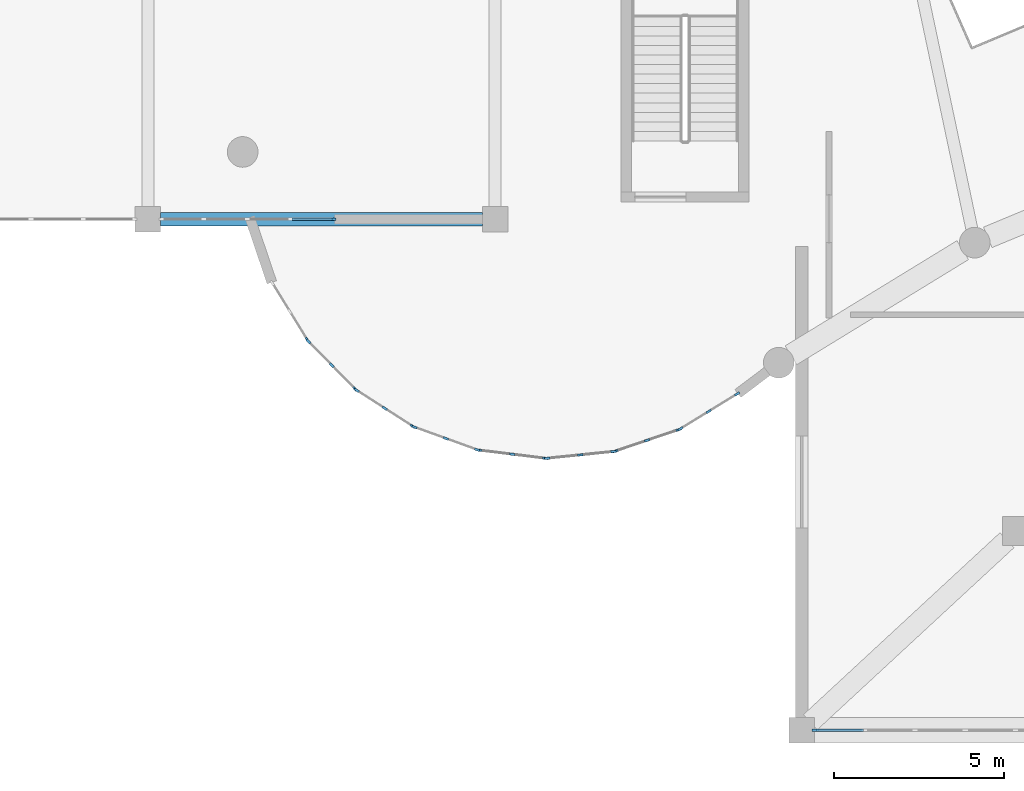
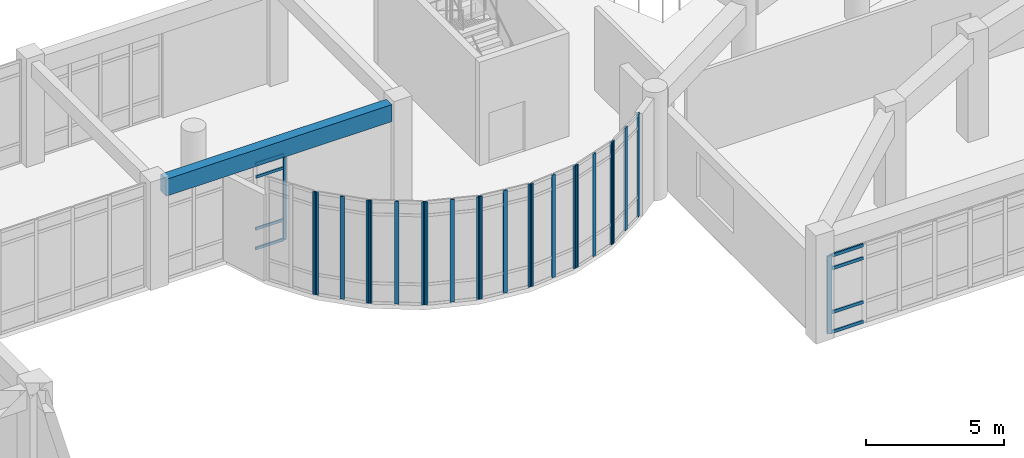
# One storey, part 8 of 68: 32 members, 1 beam, 10 elements without a shape of their own.
"""IFC4 building model written with IfcOpenShell, lengths in metres."""

import ifcopenshell
import ifcopenshell.guid

model = None  # the IFC model being written
_history = None  # IfcOwnerHistory: only IFC2X3 demands one
_inside = {}  # id of a spatial element -> (the spatial element, [elements in it])
_under = {}  # id of a project, library or spatial element -> (it, [spatial elements below it])
_declared = {}  # id of a project -> (the project, [libraries it declares])
_typed = {}  # id of a type object -> (the type object, [elements of that type])
_made_of = {}  # id of a material, layer set ... -> (it, [elements and type objects made of it])


def new_model(schema):
    """Start an empty IFC model of exactly this schema.

    Asked for "IFC4X3", IfcOpenShell would pick the latest addendum, in which some entities
    have other attributes; the version numbers below select the first issue.
    IFC2X3 requires an IfcOwnerHistory on every rooted entity: one is made here for all.
    """
    global model, _history
    if schema == "IFC4X3":
        model = ifcopenshell.file(schema_version=(4, 3, 0, 0))
    else:
        model = ifcopenshell.file(schema=schema)
    _inside.clear()
    _under.clear()
    _declared.clear()
    _typed.clear()
    _made_of.clear()
    _history = None
    if model.schema == "IFC2X3":
        org = make("IfcOrganization", Name="unknown")
        user = make(
            "IfcPersonAndOrganization",
            ThePerson=make("IfcPerson", FamilyName="unknown"),
            TheOrganization=org,
        )
        app = make(
            "IfcApplication",
            ApplicationDeveloper=org,
            Version="unknown",
            ApplicationFullName="unknown",
            ApplicationIdentifier="unknown",
        )
        _history = make(
            "IfcOwnerHistory",
            OwningUser=user,
            OwningApplication=app,
            ChangeAction="ADDED",
            CreationDate=0,
        )
    return model


def make(cls, **values):
    """One entity of the class cls with the attributes given. An attribute that is None is left unset."""
    return model.create_entity(
        cls, **{name: value for name, value in values.items() if value is not None}
    )


def rooted(cls, **values):
    """An entity with a GlobalId (a new one), such as an element, a storey or a relation."""
    return make(cls, GlobalId=ifcopenshell.guid.new(), OwnerHistory=_history, **values)


def si_unit(unit_type, name, prefix=None):
    """IfcSIUnit, for example si_unit("LENGTHUNIT", "METRE", prefix="MILLI")."""
    return make("IfcSIUnit", UnitType=unit_type, Prefix=prefix, Name=name)


def assignment(units):
    """IfcUnitAssignment: the units of a project."""
    return None if units is None else make("IfcUnitAssignment", Units=units)


def point(xyz):
    """IfcCartesianPoint."""
    return None if xyz is None else make("IfcCartesianPoint", Coordinates=xyz)


def direction(xyz):
    """IfcDirection."""
    return None if xyz is None else make("IfcDirection", DirectionRatios=xyz)


def frame(location, z_axis=None, x_axis=None):
    """IfcAxis2Placement3D, a coordinate frame: its origin and axes. An axis left out is left unset."""
    return make(
        "IfcAxis2Placement3D",
        Location=point(location),
        Axis=direction(z_axis),
        RefDirection=direction(x_axis),
    )


def frame_2d(location, x_axis=None):
    """IfcAxis2Placement2D, a coordinate frame in the plane: its origin and x axis."""
    return make(
        "IfcAxis2Placement2D", Location=point(location), RefDirection=direction(x_axis)
    )


def origin():
    """The frame at (0, 0, 0) with its axes left unset."""
    return frame((0.0, 0.0, 0.0))


def origin_2d():
    """The frame at (0, 0) in the plane with its x axis left unset."""
    return frame_2d((0.0, 0.0))


def place(relative_to, where):
    """IfcLocalPlacement: puts the frame where relative to a parent placement (None: the world)."""
    return make(
        "IfcLocalPlacement", PlacementRelTo=relative_to, RelativePlacement=where
    )


def context(
    kind, dimensions, precision=None, world=None, true_north=None, identifier=None
):
    """IfcGeometricRepresentationContext, for example the 3D "Model" context."""
    return make(
        "IfcGeometricRepresentationContext",
        ContextIdentifier=identifier,
        ContextType=kind,
        CoordinateSpaceDimension=dimensions,
        Precision=precision,
        WorldCoordinateSystem=world,
        TrueNorth=true_north,
    )


def subcontext(parent, identifier, kind, view, scale=None):
    """IfcGeometricRepresentationSubContext, for example "Body" below "Model"."""
    return make(
        "IfcGeometricRepresentationSubContext",
        ContextIdentifier=identifier,
        ContextType=kind,
        ParentContext=parent,
        TargetScale=scale,
        TargetView=view,
    )


def project(units=None, contexts=None):
    """IfcProject with its units and contexts."""
    return rooted(
        "IfcProject",
        Name="project",
        RepresentationContexts=contexts,
        UnitsInContext=assignment(units),
    )


def spatial(cls, under=None, at=None, **own):
    """A site, building, storey or space (cls), placed at a placement, below another one or the project."""
    s = rooted(cls, ObjectPlacement=at, **own)
    if under is not None:
        _under.setdefault(under.id(), (under, []))[1].append(s)
    return s


def profile(cls, at=None, kind="AREA", **sizes):
    """A parametric profile (cls). Its sizes go by their IFC names, for example OverallWidth=200.0."""
    return make(cls, ProfileType=kind, Position=at, **sizes)


def rectangle(**sizes):
    """IfcRectangleProfileDef."""
    return profile("IfcRectangleProfileDef", **sizes)


def extrude(swept, where, along, depth):
    """IfcExtrudedAreaSolid: the profile swept, set in the frame where, extruded along a direction by depth."""
    return make(
        "IfcExtrudedAreaSolid",
        SweptArea=swept,
        Position=where,
        ExtrudedDirection=direction(along),
        Depth=depth,
    )


def shape(context_of_items, identifier, shape_type, items):
    """IfcShapeRepresentation: the items that make up one representation, for example the "Body"."""
    return make(
        "IfcShapeRepresentation",
        ContextOfItems=context_of_items,
        RepresentationIdentifier=identifier,
        RepresentationType=shape_type,
        Items=items,
    )


def material(Name=None, Category=None):
    """IfcMaterial."""
    return make("IfcMaterial", Name=Name, Category=Category)


def layer(
    of_material, thickness, ventilated=None, Name=None, Category=None, Priority=None
):
    """IfcMaterialLayer: one layer of a wall or slab, of a material (None: an air gap)."""
    return make(
        "IfcMaterialLayer",
        Material=of_material,
        LayerThickness=thickness,
        IsVentilated=ventilated,
        Name=Name,
        Category=Category,
        Priority=Priority,
    )


def layer_set(layers, Name=None):
    """IfcMaterialLayerSet."""
    return make("IfcMaterialLayerSet", MaterialLayers=layers, LayerSetName=Name)


def material_profile(
    of_material, cross_section, Name=None, Category=None, Priority=None
):
    """IfcMaterialProfile: a cross section and its material."""
    return make(
        "IfcMaterialProfile",
        Name=Name,
        Material=of_material,
        Profile=cross_section,
        Priority=Priority,
        Category=Category,
    )


def profile_set(profiles, Name=None, composite=None):
    """IfcMaterialProfileSet."""
    return make(
        "IfcMaterialProfileSet",
        Name=Name,
        MaterialProfiles=profiles,
        CompositeProfile=composite,
    )


def made_of(thing, what):
    """Note that an element or type object is made of a material, layer set ...; save() writes the relation."""
    if what is not None:
        _made_of.setdefault(what.id(), (what, []))[1].append(thing)
    return thing


def type_object(cls, material=None, **own):
    """A type object (cls), such as IfcWallType, which elements share."""
    return made_of(rooted(cls, **own), material)


def element(
    cls,
    number,
    at=None,
    inside=None,
    cuts=None,
    type_object=None,
    material=None,
    context=None,
    identifier="Body",
    shape_type=None,
    held_by="IfcProductDefinitionShape",
    body=None,
    shapes=None,
    **own,
):
    """One element of the class cls, such as IfcWall. Its Tag is "e" and its number.

    at: its placement. inside: the storey or other place that contains it. cuts: it is an
    opening in that element (IfcRelVoidsElement). A single representation is given by context,
    identifier, shape_type and body (its items); several are given by shapes. held_by: the class
    of the entity that holds the representations. save() writes the other relations.
    """
    e = rooted(cls, Tag="e%d" % number, ObjectPlacement=at, **own)
    if body is not None:
        shapes = [shape(context, identifier, shape_type, body)]
    if shapes is not None:
        e.Representation = make(held_by, Representations=shapes)
    if inside is not None:
        _inside.setdefault(inside.id(), (inside, []))[1].append(e)
    if cuts is not None:
        rooted(
            "IfcRelVoidsElement", RelatingBuildingElement=cuts, RelatedOpeningElement=e
        )
    if type_object is not None:
        _typed.setdefault(type_object.id(), (type_object, []))[1].append(e)
    return made_of(e, material)


def aggregate(whole, parts):
    """IfcRelAggregates: a whole, such as a stair, and the parts it consists of."""
    return rooted("IfcRelAggregates", RelatingObject=whole, RelatedObjects=parts)


def save(model, path):
    """Write the relations noted so far, then the file.

    IfcRelAggregates (storeys below a building ...), IfcRelContainedInSpatialStructure (elements
    in a storey), IfcRelDefinesByType, IfcRelAssociatesMaterial and IfcRelDeclares: one each for
    every whole, place, type object, material and project.
    """
    for whole, parts in _under.values():
        aggregate(whole, parts)
    for where, things in _inside.values():
        rooted(
            "IfcRelContainedInSpatialStructure",
            RelatedElements=things,
            RelatingStructure=where,
        )
    for kind, things in _typed.values():
        rooted("IfcRelDefinesByType", RelatedObjects=things, RelatingType=kind)
    for what, things in _made_of.values():
        rooted("IfcRelAssociatesMaterial", RelatedObjects=things, RelatingMaterial=what)
    for by, libraries in _declared.values():
        rooted("IfcRelDeclares", RelatingContext=by, RelatedDefinitions=libraries)
    model.write(path)


model = new_model("IFC4")

# Units and contexts
model_context = context("Model", 3, precision=1e-05, world=origin(), true_north=direction((0.0, 1.0)))
body_context = subcontext(model_context, "Body", "Model", "MODEL_VIEW")
ifc_project = project(units=[si_unit("LENGTHUNIT", "METRE"), si_unit("AREAUNIT", "SQUARE_METRE"), si_unit("VOLUMEUNIT", "CUBIC_METRE"), si_unit("PLANEANGLEUNIT", "RADIAN"), si_unit("MASSUNIT", "GRAM", prefix="KILO")], contexts=[model_context])

# Site, building, storey
site_placement = place(None, origin())
site = spatial("IfcSite", under=ifc_project, at=site_placement, CompositionType="ELEMENT")
building_placement = place(site_placement, origin())
building = spatial("IfcBuilding", under=site, at=building_placement, Name="Miralva Faculty of Natural Sciences", CompositionType="ELEMENT")
storey_placement = place(building_placement, frame((0.0, 0.0, 5.39990234375)))
storey = spatial("IfcBuildingStorey", under=building, at=storey_placement, Name="L01", CompositionType="ELEMENT", Elevation=5.39990234375)

# Beam
ifc_material_1 = material(Name="Concrete C40/50", Category="concrete")
ifc_material_profile_1 = material_profile(ifc_material_1, rectangle(XDim=0.39990234375, YDim=0.75, at=origin_2d()), Name="RC 400x750")
ifc_profile_set_1 = profile_set([ifc_material_profile_1], Name="Concrete C40/50")
beam_type = type_object("IfcBeamType", Name="BM-B03", PredefinedType="BEAM", material=ifc_profile_set_1)
beam_placement = place(storey_placement, frame((46.574951171875, 18.0, 4.18505859375), z_axis=(1.0, 0.0, 0.0), x_axis=(0.0, 1.0, 0.0)))
element("IfcBeam", 1, at=beam_placement, inside=storey, type_object=beam_type, Name="Girder EW L01-20", PredefinedType="BEAM", context=body_context, shape_type="SweptSolid", body=[
    extrude(rectangle(XDim=0.39990234375, YDim=0.75, at=origin_2d()), origin(), (0.0, 0.0, 1.0), 9.449951171875),
])

# Curtain wall, member
ifc_material_2 = material(Name="Laminated solar-control glass", Category="glass")
ifc_layer_1 = layer(ifc_material_2, 0.179931640625, Name="CW-LEC-L01")
ifc_layer_set_1 = layer_set([ifc_layer_1], Name="Laminated solar-control glass")
curtain_wall_type_1 = type_object("IfcCurtainWallType", Name="CW-LEC-L01", PredefinedType="USERDEFINED", material=ifc_layer_set_1)
curtain_wall_1_placement = place(storey_placement, origin())
curtain_wall_1 = element("IfcCurtainWall", 2, at=curtain_wall_1_placement, inside=storey, type_object=curtain_wall_type_1, Name="Curtain wall CW-08 L01-206", ObjectType="UNITISED CURTAIN WALL", PredefinedType="USERDEFINED")
ifc_material_3 = material(Name="Anodised aluminium", Category="aluminium")
ifc_material_profile_2 = material_profile(ifc_material_3, rectangle(XDim=0.06494140625, YDim=0.179931640625, at=origin_2d()), Name="MULLION 65x180")
ifc_profile_set_2 = profile_set([ifc_material_profile_2], Name="Anodised aluminium")
member_type_1 = type_object("IfcMemberType", Name="CW-M01", PredefinedType="MULLION", material=ifc_profile_set_2)
member_1_placement = place(storey_placement, frame((65.797607421875, 3.0, 0.0), z_axis=(0.0, 0.0, 1.0), x_axis=(0.0, 1.0, 0.0)))
member_1 = element("IfcMember", 3, at=member_1_placement, type_object=member_type_1, Name="CW-08 mullion 1", PredefinedType="MULLION", context=body_context, shape_type="SweptSolid", body=[
    extrude(rectangle(XDim=0.06494140625, YDim=0.179931640625, at=origin_2d()), origin(), (0.0, 0.0, 1.0), 3.445068359375),
])

# Curtain wall, members
ifc_layer_2 = layer(ifc_material_2, 0.179931640625, Name="CW-RND-L01")
ifc_layer_set_2 = layer_set([ifc_layer_2], Name="Laminated solar-control glass")
curtain_wall_type_2 = type_object("IfcCurtainWallType", Name="CW-RND-L01", PredefinedType="USERDEFINED", material=ifc_layer_set_2)
curtain_wall_2_placement = place(storey_placement, origin())
curtain_wall_2 = element("IfcCurtainWall", 4, at=curtain_wall_2_placement, inside=storey, type_object=curtain_wall_type_2, Name="Curtain wall CW-05 L01-47", ObjectType="UNITISED CURTAIN WALL", PredefinedType="USERDEFINED")
ifc_material_profile_3 = material_profile(ifc_material_3, rectangle(XDim=0.06494140625, YDim=0.159912109375, at=origin_2d()), Name="MULLION 65x160")
ifc_profile_set_3 = profile_set([ifc_material_profile_3], Name="Anodised aluminium")
member_type_2 = type_object("IfcMemberType", Name="CW-M02", PredefinedType="MULLION", material=ifc_profile_set_3)
member_2_placement = place(storey_placement, frame((61.837158203125, 11.846435546875, 0.0), z_axis=(0.0, 0.0, 1.0), x_axis=(-0.523550543884, 0.851994617353, 0.0)))
member_2 = element("IfcMember", 5, at=member_2_placement, type_object=member_type_2, Name="CW-05 mullion 1", PredefinedType="MULLION", context=body_context, shape_type="SweptSolid", body=[
    extrude(rectangle(XDim=0.06494140625, YDim=0.159912109375, at=origin_2d()), origin(), (0.0, 0.0, 1.0), 4.550048828125),
])
member_3_placement = place(storey_placement, frame((62.670166015625, 12.358154296875, 0.0), z_axis=(0.0, 0.0, 1.0), x_axis=(-0.523550543884, 0.851994617353, 0.0)))
member_3 = element("IfcMember", 6, at=member_3_placement, type_object=member_type_2, Name="CW-05 mullion 2", PredefinedType="MULLION", context=body_context, shape_type="SweptSolid", body=[
    extrude(rectangle(XDim=0.06494140625, YDim=0.159912109375, at=origin_2d()), origin(), (0.0, 0.0, 1.0), 4.550048828125),
])
member_4_placement = place(storey_placement, frame((63.503173828125, 12.8701171875, 0.0), z_axis=(0.0, 0.0, 1.0), x_axis=(-0.523550543884, 0.851994617353, 0.0)))
member_4 = element("IfcMember", 7, at=member_4_placement, type_object=member_type_2, Name="CW-05 mullion 3", PredefinedType="MULLION", context=body_context, shape_type="SweptSolid", body=[
    extrude(rectangle(XDim=0.06494140625, YDim=0.159912109375, at=origin_2d()), origin(), (0.0, 0.0, 1.0), 4.550048828125),
])
aggregate(curtain_wall_2, [member_2, member_3, member_4])

curtain_wall_3_placement = place(storey_placement, origin())
curtain_wall_3 = element("IfcCurtainWall", 8, at=curtain_wall_3_placement, inside=storey, type_object=curtain_wall_type_2, Name="Curtain wall CW-05 L01-48", ObjectType="UNITISED CURTAIN WALL", PredefinedType="USERDEFINED")
member_5_placement = place(storey_placement, frame((59.931396484375, 11.193115234375, 0.0), z_axis=(0.0, 0.0, 1.0), x_axis=(-0.320842126361, 0.947132688672, 0.0)))
member_5 = element("IfcMember", 9, at=member_5_placement, type_object=member_type_2, Name="CW-05 mullion 1", PredefinedType="MULLION", context=body_context, shape_type="SweptSolid", body=[
    extrude(rectangle(XDim=0.06494140625, YDim=0.159912109375, at=origin_2d()), origin(), (0.0, 0.0, 1.0), 4.550048828125),
])
member_6_placement = place(storey_placement, frame((60.857421875, 11.5068359375, 0.0), z_axis=(0.0, 0.0, 1.0), x_axis=(-0.320842126361, 0.947132688672, 0.0)))
member_6 = element("IfcMember", 10, at=member_6_placement, type_object=member_type_2, Name="CW-05 mullion 2", PredefinedType="MULLION", context=body_context, shape_type="SweptSolid", body=[
    extrude(rectangle(XDim=0.06494140625, YDim=0.159912109375, at=origin_2d()), origin(), (0.0, 0.0, 1.0), 4.550048828125),
])
member_7_placement = place(storey_placement, frame((61.783447265625, 11.820556640625, 0.0), z_axis=(0.0, 0.0, 1.0), x_axis=(-0.320842126361, 0.947132688672, 0.0)))
member_7 = element("IfcMember", 11, at=member_7_placement, type_object=member_type_2, Name="CW-05 mullion 3", PredefinedType="MULLION", context=body_context, shape_type="SweptSolid", body=[
    extrude(rectangle(XDim=0.06494140625, YDim=0.159912109375, at=origin_2d()), origin(), (0.0, 0.0, 1.0), 4.550048828125),
])
aggregate(curtain_wall_3, [member_5, member_6, member_7])

curtain_wall_4_placement = place(storey_placement, origin())
curtain_wall_4 = element("IfcCurtainWall", 12, at=curtain_wall_4_placement, inside=storey, type_object=curtain_wall_type_2, Name="Curtain wall CW-05 L01-49", ObjectType="UNITISED CURTAIN WALL", PredefinedType="USERDEFINED")
member_8_placement = place(storey_placement, frame((57.92822265625, 10.980224609375, 0.0), z_axis=(0.0, 0.0, 1.0), x_axis=(-0.102056494477, 0.994778604482, 0.0)))
member_8 = element("IfcMember", 13, at=member_8_placement, type_object=member_type_2, Name="CW-05 mullion 1", PredefinedType="MULLION", context=body_context, shape_type="SweptSolid", body=[
    extrude(rectangle(XDim=0.06494140625, YDim=0.159912109375, at=origin_2d()), origin(), (0.0, 0.0, 1.0), 4.550048828125),
])
member_9_placement = place(storey_placement, frame((58.900634765625, 11.080078125, 0.0), z_axis=(0.0, 0.0, 1.0), x_axis=(-0.102056494477, 0.994778604482, 0.0)))
member_9 = element("IfcMember", 14, at=member_9_placement, type_object=member_type_2, Name="CW-05 mullion 2", PredefinedType="MULLION", context=body_context, shape_type="SweptSolid", body=[
    extrude(rectangle(XDim=0.06494140625, YDim=0.159912109375, at=origin_2d()), origin(), (0.0, 0.0, 1.0), 4.550048828125),
])
member_10_placement = place(storey_placement, frame((59.873291015625, 11.179931640625, 0.0), z_axis=(0.0, 0.0, 1.0), x_axis=(-0.102056494477, 0.994778604482, 0.0)))
member_10 = element("IfcMember", 15, at=member_10_placement, type_object=member_type_2, Name="CW-05 mullion 3", PredefinedType="MULLION", context=body_context, shape_type="SweptSolid", body=[
    extrude(rectangle(XDim=0.06494140625, YDim=0.159912109375, at=origin_2d()), origin(), (0.0, 0.0, 1.0), 4.550048828125),
])
aggregate(curtain_wall_4, [member_8, member_9, member_10])

curtain_wall_5_placement = place(storey_placement, origin())
curtain_wall_5 = element("IfcCurtainWall", 16, at=curtain_wall_5_placement, inside=storey, type_object=curtain_wall_type_2, Name="Curtain wall CW-05 L01-50", ObjectType="UNITISED CURTAIN WALL", PredefinedType="USERDEFINED")
member_11_placement = place(storey_placement, frame((55.927734375, 11.21875, 0.0), z_axis=(0.0, 0.0, 1.0), x_axis=(0.121859649701, 0.99254734183, 0.0)))
member_11 = element("IfcMember", 17, at=member_11_placement, type_object=member_type_2, Name="CW-05 mullion 1", PredefinedType="MULLION", context=body_context, shape_type="SweptSolid", body=[
    extrude(rectangle(XDim=0.06494140625, YDim=0.159912109375, at=origin_2d()), origin(), (0.0, 0.0, 1.0), 4.550048828125),
])
member_12_placement = place(storey_placement, frame((56.898193359375, 11.099609375, 0.0), z_axis=(0.0, 0.0, 1.0), x_axis=(0.121859649701, 0.99254734183, 0.0)))
member_12 = element("IfcMember", 18, at=member_12_placement, type_object=member_type_2, Name="CW-05 mullion 2", PredefinedType="MULLION", context=body_context, shape_type="SweptSolid", body=[
    extrude(rectangle(XDim=0.06494140625, YDim=0.159912109375, at=origin_2d()), origin(), (0.0, 0.0, 1.0), 4.550048828125),
])
member_13_placement = place(storey_placement, frame((57.86865234375, 10.98046875, 0.0), z_axis=(0.0, 0.0, 1.0), x_axis=(0.121859649701, 0.99254734183, 0.0)))
member_13 = element("IfcMember", 19, at=member_13_placement, type_object=member_type_2, Name="CW-05 mullion 3", PredefinedType="MULLION", context=body_context, shape_type="SweptSolid", body=[
    extrude(rectangle(XDim=0.06494140625, YDim=0.159912109375, at=origin_2d()), origin(), (0.0, 0.0, 1.0), 4.550048828125),
])
aggregate(curtain_wall_5, [member_11, member_12, member_13])

curtain_wall_6_placement = place(storey_placement, origin())
curtain_wall_6 = element("IfcCurtainWall", 20, at=curtain_wall_6_placement, inside=storey, type_object=curtain_wall_type_2, Name="Curtain wall CW-05 L01-51", ObjectType="UNITISED CURTAIN WALL", PredefinedType="USERDEFINED")
member_14_placement = place(storey_placement, frame((54.030517578125, 11.896240234375, 0.0), z_axis=(0.0, 0.0, 1.0), x_axis=(0.339695547876, 0.940535451088, 0.0)))
member_14 = element("IfcMember", 21, at=member_14_placement, type_object=member_type_2, Name="CW-05 mullion 1", PredefinedType="MULLION", context=body_context, shape_type="SweptSolid", body=[
    extrude(rectangle(XDim=0.06494140625, YDim=0.159912109375, at=origin_2d()), origin(), (0.0, 0.0, 1.0), 4.550048828125),
])
member_15_placement = place(storey_placement, frame((54.9501953125, 11.56396484375, 0.0), z_axis=(0.0, 0.0, 1.0), x_axis=(0.339695547876, 0.940535451088, 0.0)))
member_15 = element("IfcMember", 22, at=member_15_placement, type_object=member_type_2, Name="CW-05 mullion 2", PredefinedType="MULLION", context=body_context, shape_type="SweptSolid", body=[
    extrude(rectangle(XDim=0.06494140625, YDim=0.159912109375, at=origin_2d()), origin(), (0.0, 0.0, 1.0), 4.550048828125),
])
member_16_placement = place(storey_placement, frame((55.86962890625, 11.23193359375, 0.0), z_axis=(0.0, 0.0, 1.0), x_axis=(0.339695547876, 0.940535451088, 0.0)))
member_16 = element("IfcMember", 23, at=member_16_placement, type_object=member_type_2, Name="CW-05 mullion 3", PredefinedType="MULLION", context=body_context, shape_type="SweptSolid", body=[
    extrude(rectangle(XDim=0.06494140625, YDim=0.159912109375, at=origin_2d()), origin(), (0.0, 0.0, 1.0), 4.550048828125),
])
aggregate(curtain_wall_6, [member_14, member_15, member_16])

curtain_wall_7_placement = place(storey_placement, origin())
curtain_wall_7 = element("IfcCurtainWall", 24, at=curtain_wall_7_placement, inside=storey, type_object=curtain_wall_type_2, Name="Curtain wall CW-05 L01-52", ObjectType="UNITISED CURTAIN WALL", PredefinedType="USERDEFINED")
member_17_placement = place(storey_placement, frame((52.33154296875, 12.978759765625, 0.0), z_axis=(0.0, 0.0, 1.0), x_axis=(0.540444854725, 0.841379438185, 0.0)))
member_17 = element("IfcMember", 25, at=member_17_placement, type_object=member_type_2, Name="CW-05 mullion 1", PredefinedType="MULLION", context=body_context, shape_type="SweptSolid", body=[
    extrude(rectangle(XDim=0.06494140625, YDim=0.159912109375, at=origin_2d()), origin(), (0.0, 0.0, 1.0), 4.550048828125),
])
member_18_placement = place(storey_placement, frame((53.154296875, 12.450439453125, 0.0), z_axis=(0.0, 0.0, 1.0), x_axis=(0.540444854725, 0.841379438185, 0.0)))
member_18 = element("IfcMember", 26, at=member_18_placement, type_object=member_type_2, Name="CW-05 mullion 2", PredefinedType="MULLION", context=body_context, shape_type="SweptSolid", body=[
    extrude(rectangle(XDim=0.06494140625, YDim=0.159912109375, at=origin_2d()), origin(), (0.0, 0.0, 1.0), 4.550048828125),
])
member_19_placement = place(storey_placement, frame((53.976806640625, 11.922119140625, 0.0), z_axis=(0.0, 0.0, 1.0), x_axis=(0.540444854725, 0.841379438185, 0.0)))
member_19 = element("IfcMember", 27, at=member_19_placement, type_object=member_type_2, Name="CW-05 mullion 3", PredefinedType="MULLION", context=body_context, shape_type="SweptSolid", body=[
    extrude(rectangle(XDim=0.06494140625, YDim=0.159912109375, at=origin_2d()), origin(), (0.0, 0.0, 1.0), 4.550048828125),
])
aggregate(curtain_wall_7, [member_17, member_18, member_19])

curtain_wall_8_placement = place(storey_placement, origin())
curtain_wall_8 = element("IfcCurtainWall", 28, at=curtain_wall_8_placement, inside=storey, type_object=curtain_wall_type_2, Name="Curtain wall CW-05 L01-53", ObjectType="UNITISED CURTAIN WALL", PredefinedType="USERDEFINED")
member_20_placement = place(storey_placement, frame((50.916259765625, 14.412353515625, 0.0), z_axis=(0.0, 0.0, 1.0), x_axis=(0.714124749017, 0.700018458929, 0.0)))
member_20 = element("IfcMember", 29, at=member_20_placement, type_object=member_type_2, Name="CW-05 mullion 1", PredefinedType="MULLION", context=body_context, shape_type="SweptSolid", body=[
    extrude(rectangle(XDim=0.06494140625, YDim=0.159912109375, at=origin_2d()), origin(), (0.0, 0.0, 1.0), 4.550048828125),
])
member_21_placement = place(storey_placement, frame((51.6005859375, 13.714111328125, 0.0), z_axis=(0.0, 0.0, 1.0), x_axis=(0.714124749017, 0.700018458929, 0.0)))
member_21 = element("IfcMember", 30, at=member_21_placement, type_object=member_type_2, Name="CW-05 mullion 2", PredefinedType="MULLION", context=body_context, shape_type="SweptSolid", body=[
    extrude(rectangle(XDim=0.06494140625, YDim=0.159912109375, at=origin_2d()), origin(), (0.0, 0.0, 1.0), 4.550048828125),
])
member_22_placement = place(storey_placement, frame((52.28515625, 13.01611328125, 0.0), z_axis=(0.0, 0.0, 1.0), x_axis=(0.714124749017, 0.700018458929, 0.0)))
member_22 = element("IfcMember", 31, at=member_22_placement, type_object=member_type_2, Name="CW-05 mullion 3", PredefinedType="MULLION", context=body_context, shape_type="SweptSolid", body=[
    extrude(rectangle(XDim=0.06494140625, YDim=0.159912109375, at=origin_2d()), origin(), (0.0, 0.0, 1.0), 4.550048828125),
])
aggregate(curtain_wall_8, [member_20, member_21, member_22])

# Curtain wall, member
curtain_wall_9_placement = place(storey_placement, origin())
curtain_wall_9 = element("IfcCurtainWall", 32, at=curtain_wall_9_placement, inside=storey, type_object=curtain_wall_type_2, Name="Curtain wall CW-05 L01-54", ObjectType="UNITISED CURTAIN WALL", PredefinedType="USERDEFINED")
member_23_placement = place(storey_placement, frame((50.879150390625, 14.458984375, 0.0), z_axis=(0.0, 0.0, 1.0), x_axis=(0.851994617353, 0.523550543884, 0.0)))
member_23 = element("IfcMember", 33, at=member_23_placement, type_object=member_type_2, Name="CW-05 mullion 3", PredefinedType="MULLION", context=body_context, shape_type="SweptSolid", body=[
    extrude(rectangle(XDim=0.06494140625, YDim=0.159912109375, at=origin_2d()), origin(), (0.0, 0.0, 1.0), 4.550048828125),
])
aggregate(curtain_wall_9, [member_23])

ifc_layer_3 = layer(ifc_material_2, 0.179931640625, Name="CW-COM-L01")
ifc_layer_set_3 = layer_set([ifc_layer_3], Name="Laminated solar-control glass")
curtain_wall_type_3 = type_object("IfcCurtainWallType", Name="CW-COM-L01", PredefinedType="USERDEFINED", material=ifc_layer_set_3)
curtain_wall_10_placement = place(storey_placement, origin())
curtain_wall_10 = element("IfcCurtainWall", 34, at=curtain_wall_10_placement, inside=storey, type_object=curtain_wall_type_3, Name="Curtain wall CW-10 L01-289", ObjectType="UNITISED CURTAIN WALL", PredefinedType="USERDEFINED")
ifc_material_profile_4 = material_profile(ifc_material_3, rectangle(XDim=0.06005859375, YDim=0.139892578125, at=origin_2d()), Name="MULLION 60x140")
ifc_profile_set_4 = profile_set([ifc_material_profile_4], Name="Anodised aluminium")
member_type_3 = type_object("IfcMemberType", Name="CW-M03", PredefinedType="MULLION", material=ifc_profile_set_4)
member_24_placement = place(storey_placement, frame((51.64990234375, 18.0, 0.0), z_axis=(0.0, 0.0, 1.0), x_axis=(0.0, 1.0, 0.0)))
member_24 = element("IfcMember", 35, at=member_24_placement, type_object=member_type_3, Name="CW-10 mullion 5", PredefinedType="MULLION", context=body_context, shape_type="SweptSolid", body=[
    extrude(rectangle(XDim=0.06005859375, YDim=0.139892578125, at=origin_2d()), origin(), (0.0, 0.0, 1.0), 3.80517578125),
])

# Member
ifc_material_profile_5 = material_profile(ifc_material_3, rectangle(XDim=0.06494140625, YDim=0.139892578125, at=origin_2d()), Name="TRANSOM 65x140")
ifc_profile_set_5 = profile_set([ifc_material_profile_5], Name="Anodised aluminium")
member_type_4 = type_object("IfcMemberType", Name="CW-T01", PredefinedType="USERDEFINED", material=ifc_profile_set_5)
member_25_placement = place(storey_placement, frame((65.830078125, 3.0, 0.03271484375), z_axis=(1.0, 0.0, 0.0), x_axis=(0.0, 1.0, 0.0)))
member_25 = element("IfcMember", 36, at=member_25_placement, type_object=member_type_4, Name="CW-08 transom 1.1", ObjectType="TRANSOM", PredefinedType="USERDEFINED", context=body_context, shape_type="SweptSolid", body=[
    extrude(rectangle(XDim=0.06494140625, YDim=0.139892578125, at=origin_2d()), origin(), (0.0, 0.0, 1.0), 1.380859375),
])

member_26_placement = place(storey_placement, frame((65.830078125, 3.0, 0.900146484375), z_axis=(1.0, 0.0, 0.0), x_axis=(0.0, 1.0, 0.0)))
member_26 = element("IfcMember", 37, at=member_26_placement, type_object=member_type_4, Name="CW-08 transom 1.2", ObjectType="TRANSOM", PredefinedType="USERDEFINED", context=body_context, shape_type="SweptSolid", body=[
    extrude(rectangle(XDim=0.06494140625, YDim=0.139892578125, at=origin_2d()), origin(), (0.0, 0.0, 1.0), 1.380859375),
])

member_27_placement = place(storey_placement, frame((65.830078125, 3.0, 2.84521484375), z_axis=(1.0, 0.0, 0.0), x_axis=(0.0, 1.0, 0.0)))
member_27 = element("IfcMember", 38, at=member_27_placement, type_object=member_type_4, Name="CW-08 transom 1.3", ObjectType="TRANSOM", PredefinedType="USERDEFINED", context=body_context, shape_type="SweptSolid", body=[
    extrude(rectangle(XDim=0.06494140625, YDim=0.139892578125, at=origin_2d()), origin(), (0.0, 0.0, 1.0), 1.380859375),
])

member_28_placement = place(storey_placement, frame((65.830078125, 3.0, 3.41259765625), z_axis=(1.0, 0.0, 0.0), x_axis=(0.0, 1.0, 0.0)))
member_28 = element("IfcMember", 39, at=member_28_placement, type_object=member_type_4, Name="CW-08 transom 1.4", ObjectType="TRANSOM", PredefinedType="USERDEFINED", context=body_context, shape_type="SweptSolid", body=[
    extrude(rectangle(XDim=0.06494140625, YDim=0.139892578125, at=origin_2d()), origin(), (0.0, 0.0, 1.0), 1.380859375),
])

aggregate(curtain_wall_1, [member_1, member_25, member_26, member_27, member_28])

ifc_material_profile_6 = material_profile(ifc_material_3, rectangle(XDim=0.06005859375, YDim=0.1201171875, at=origin_2d()), Name="TRANSOM 60x120")
ifc_profile_set_6 = profile_set([ifc_material_profile_6], Name="Anodised aluminium")
member_type_5 = type_object("IfcMemberType", Name="CW-T02", PredefinedType="USERDEFINED", material=ifc_profile_set_6)
member_29_placement = place(storey_placement, frame((50.43115234375, 18.0, 0.030029296875), z_axis=(1.0, 0.0, 0.0), x_axis=(0.0, 1.0, 0.0)))
member_29 = element("IfcMember", 40, at=member_29_placement, type_object=member_type_5, Name="CW-10 transom 4.1", ObjectType="TRANSOM", PredefinedType="USERDEFINED", context=body_context, shape_type="SweptSolid", body=[
    extrude(rectangle(XDim=0.06005859375, YDim=0.1201171875, at=origin_2d()), origin(), (0.0, 0.0, 1.0), 1.18896484375),
])

member_30_placement = place(storey_placement, frame((50.43115234375, 18.0, 0.900146484375), z_axis=(1.0, 0.0, 0.0), x_axis=(0.0, 1.0, 0.0)))
member_30 = element("IfcMember", 41, at=member_30_placement, type_object=member_type_5, Name="CW-10 transom 4.2", ObjectType="TRANSOM", PredefinedType="USERDEFINED", context=body_context, shape_type="SweptSolid", body=[
    extrude(rectangle(XDim=0.06005859375, YDim=0.1201171875, at=origin_2d()), origin(), (0.0, 0.0, 1.0), 1.18896484375),
])

member_31_placement = place(storey_placement, frame((50.43115234375, 18.0, 3.205078125), z_axis=(1.0, 0.0, 0.0), x_axis=(0.0, 1.0, 0.0)))
member_31 = element("IfcMember", 42, at=member_31_placement, type_object=member_type_5, Name="CW-10 transom 4.3", ObjectType="TRANSOM", PredefinedType="USERDEFINED", context=body_context, shape_type="SweptSolid", body=[
    extrude(rectangle(XDim=0.06005859375, YDim=0.1201171875, at=origin_2d()), origin(), (0.0, 0.0, 1.0), 1.18896484375),
])

member_32_placement = place(storey_placement, frame((50.43115234375, 18.0, 3.775146484375), z_axis=(1.0, 0.0, 0.0), x_axis=(0.0, 1.0, 0.0)))
member_32 = element("IfcMember", 43, at=member_32_placement, type_object=member_type_5, Name="CW-10 transom 4.4", ObjectType="TRANSOM", PredefinedType="USERDEFINED", context=body_context, shape_type="SweptSolid", body=[
    extrude(rectangle(XDim=0.06005859375, YDim=0.1201171875, at=origin_2d()), origin(), (0.0, 0.0, 1.0), 1.18896484375),
])

aggregate(curtain_wall_10, [member_24, member_29, member_30, member_31, member_32])

save(model, "model.ifc")
